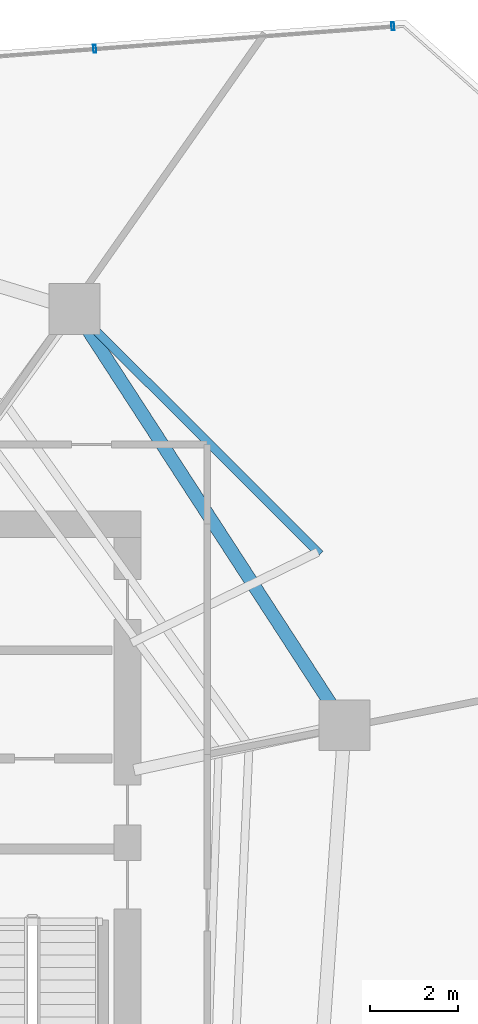
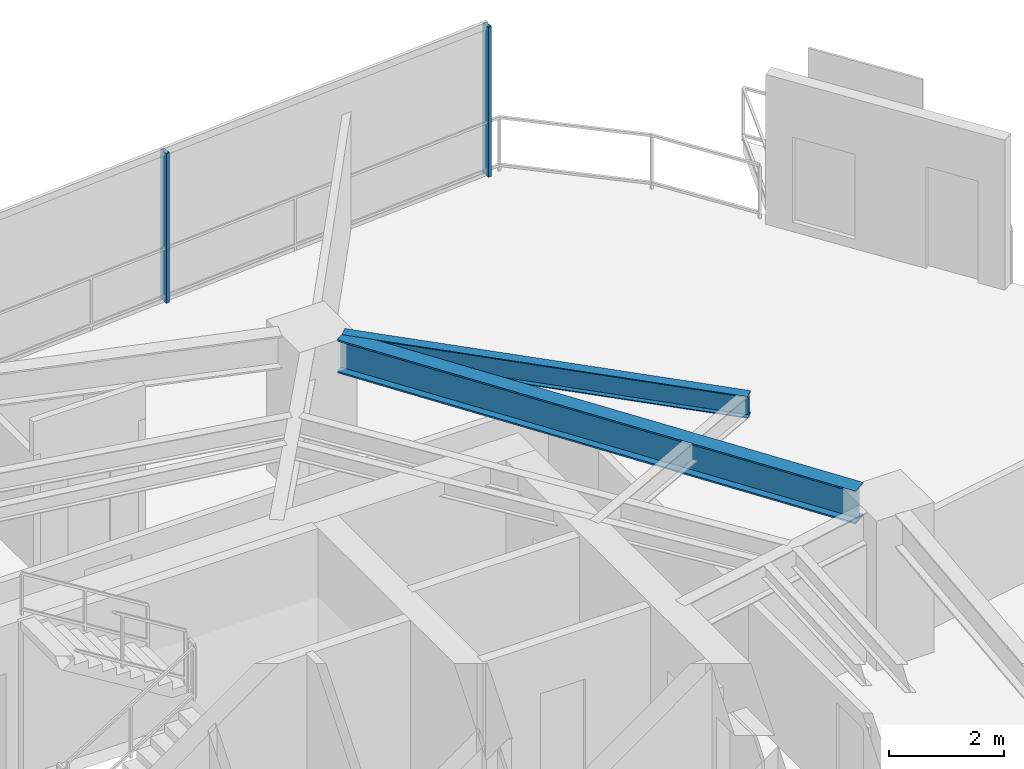
# One storey, part 22 of 30: 2 beams, 2 members, 1 element without a shape of its own.
"""IFC4 building model written with IfcOpenShell, lengths in metres."""

import ifcopenshell
import ifcopenshell.guid

model = None  # the IFC model being written
_history = None  # IfcOwnerHistory: only IFC2X3 demands one
_inside = {}  # id of a spatial element -> (the spatial element, [elements in it])
_under = {}  # id of a project, library or spatial element -> (it, [spatial elements below it])
_declared = {}  # id of a project -> (the project, [libraries it declares])
_typed = {}  # id of a type object -> (the type object, [elements of that type])
_made_of = {}  # id of a material, layer set ... -> (it, [elements and type objects made of it])


def new_model(schema):
    """Start an empty IFC model of exactly this schema.

    Asked for "IFC4X3", IfcOpenShell would pick the latest addendum, in which some entities
    have other attributes; the version numbers below select the first issue.
    IFC2X3 requires an IfcOwnerHistory on every rooted entity: one is made here for all.
    """
    global model, _history
    if schema == "IFC4X3":
        model = ifcopenshell.file(schema_version=(4, 3, 0, 0))
    else:
        model = ifcopenshell.file(schema=schema)
    _inside.clear()
    _under.clear()
    _declared.clear()
    _typed.clear()
    _made_of.clear()
    _history = None
    if model.schema == "IFC2X3":
        org = make("IfcOrganization", Name="unknown")
        user = make(
            "IfcPersonAndOrganization",
            ThePerson=make("IfcPerson", FamilyName="unknown"),
            TheOrganization=org,
        )
        app = make(
            "IfcApplication",
            ApplicationDeveloper=org,
            Version="unknown",
            ApplicationFullName="unknown",
            ApplicationIdentifier="unknown",
        )
        _history = make(
            "IfcOwnerHistory",
            OwningUser=user,
            OwningApplication=app,
            ChangeAction="ADDED",
            CreationDate=0,
        )
    return model


def make(cls, **values):
    """One entity of the class cls with the attributes given. An attribute that is None is left unset."""
    return model.create_entity(
        cls, **{name: value for name, value in values.items() if value is not None}
    )


def rooted(cls, **values):
    """An entity with a GlobalId (a new one), such as an element, a storey or a relation."""
    return make(cls, GlobalId=ifcopenshell.guid.new(), OwnerHistory=_history, **values)


def si_unit(unit_type, name, prefix=None):
    """IfcSIUnit, for example si_unit("LENGTHUNIT", "METRE", prefix="MILLI")."""
    return make("IfcSIUnit", UnitType=unit_type, Prefix=prefix, Name=name)


def assignment(units):
    """IfcUnitAssignment: the units of a project."""
    return None if units is None else make("IfcUnitAssignment", Units=units)


def point(xyz):
    """IfcCartesianPoint."""
    return None if xyz is None else make("IfcCartesianPoint", Coordinates=xyz)


def direction(xyz):
    """IfcDirection."""
    return None if xyz is None else make("IfcDirection", DirectionRatios=xyz)


def frame(location, z_axis=None, x_axis=None):
    """IfcAxis2Placement3D, a coordinate frame: its origin and axes. An axis left out is left unset."""
    return make(
        "IfcAxis2Placement3D",
        Location=point(location),
        Axis=direction(z_axis),
        RefDirection=direction(x_axis),
    )


def frame_2d(location, x_axis=None):
    """IfcAxis2Placement2D, a coordinate frame in the plane: its origin and x axis."""
    return make(
        "IfcAxis2Placement2D", Location=point(location), RefDirection=direction(x_axis)
    )


def origin():
    """The frame at (0, 0, 0) with its axes left unset."""
    return frame((0.0, 0.0, 0.0))


def origin_2d():
    """The frame at (0, 0) in the plane with its x axis left unset."""
    return frame_2d((0.0, 0.0))


def place(relative_to, where):
    """IfcLocalPlacement: puts the frame where relative to a parent placement (None: the world)."""
    return make(
        "IfcLocalPlacement", PlacementRelTo=relative_to, RelativePlacement=where
    )


def context(
    kind, dimensions, precision=None, world=None, true_north=None, identifier=None
):
    """IfcGeometricRepresentationContext, for example the 3D "Model" context."""
    return make(
        "IfcGeometricRepresentationContext",
        ContextIdentifier=identifier,
        ContextType=kind,
        CoordinateSpaceDimension=dimensions,
        Precision=precision,
        WorldCoordinateSystem=world,
        TrueNorth=true_north,
    )


def subcontext(parent, identifier, kind, view, scale=None):
    """IfcGeometricRepresentationSubContext, for example "Body" below "Model"."""
    return make(
        "IfcGeometricRepresentationSubContext",
        ContextIdentifier=identifier,
        ContextType=kind,
        ParentContext=parent,
        TargetScale=scale,
        TargetView=view,
    )


def project(units=None, contexts=None):
    """IfcProject with its units and contexts."""
    return rooted(
        "IfcProject",
        Name="project",
        RepresentationContexts=contexts,
        UnitsInContext=assignment(units),
    )


def spatial(cls, under=None, at=None, **own):
    """A site, building, storey or space (cls), placed at a placement, below another one or the project."""
    s = rooted(cls, ObjectPlacement=at, **own)
    if under is not None:
        _under.setdefault(under.id(), (under, []))[1].append(s)
    return s


def profile(cls, at=None, kind="AREA", **sizes):
    """A parametric profile (cls). Its sizes go by their IFC names, for example OverallWidth=200.0."""
    return make(cls, ProfileType=kind, Position=at, **sizes)


def hollow_rectangle(**sizes):
    """IfcRectangleHollowProfileDef."""
    return profile("IfcRectangleHollowProfileDef", **sizes)


def i_section(**sizes):
    """IfcIShapeProfileDef."""
    return profile("IfcIShapeProfileDef", **sizes)


def extrude(swept, where, along, depth):
    """IfcExtrudedAreaSolid: the profile swept, set in the frame where, extruded along a direction by depth."""
    return make(
        "IfcExtrudedAreaSolid",
        SweptArea=swept,
        Position=where,
        ExtrudedDirection=direction(along),
        Depth=depth,
    )


def shape(context_of_items, identifier, shape_type, items):
    """IfcShapeRepresentation: the items that make up one representation, for example the "Body"."""
    return make(
        "IfcShapeRepresentation",
        ContextOfItems=context_of_items,
        RepresentationIdentifier=identifier,
        RepresentationType=shape_type,
        Items=items,
    )


def material(Name=None, Category=None):
    """IfcMaterial."""
    return make("IfcMaterial", Name=Name, Category=Category)


def layer(
    of_material, thickness, ventilated=None, Name=None, Category=None, Priority=None
):
    """IfcMaterialLayer: one layer of a wall or slab, of a material (None: an air gap)."""
    return make(
        "IfcMaterialLayer",
        Material=of_material,
        LayerThickness=thickness,
        IsVentilated=ventilated,
        Name=Name,
        Category=Category,
        Priority=Priority,
    )


def layer_set(layers, Name=None):
    """IfcMaterialLayerSet."""
    return make("IfcMaterialLayerSet", MaterialLayers=layers, LayerSetName=Name)


def material_profile(
    of_material, cross_section, Name=None, Category=None, Priority=None
):
    """IfcMaterialProfile: a cross section and its material."""
    return make(
        "IfcMaterialProfile",
        Name=Name,
        Material=of_material,
        Profile=cross_section,
        Priority=Priority,
        Category=Category,
    )


def profile_set(profiles, Name=None, composite=None):
    """IfcMaterialProfileSet."""
    return make(
        "IfcMaterialProfileSet",
        Name=Name,
        MaterialProfiles=profiles,
        CompositeProfile=composite,
    )


def made_of(thing, what):
    """Note that an element or type object is made of a material, layer set ...; save() writes the relation."""
    if what is not None:
        _made_of.setdefault(what.id(), (what, []))[1].append(thing)
    return thing


def type_object(cls, material=None, **own):
    """A type object (cls), such as IfcWallType, which elements share."""
    return made_of(rooted(cls, **own), material)


def element(
    cls,
    number,
    at=None,
    inside=None,
    cuts=None,
    type_object=None,
    material=None,
    context=None,
    identifier="Body",
    shape_type=None,
    held_by="IfcProductDefinitionShape",
    body=None,
    shapes=None,
    **own,
):
    """One element of the class cls, such as IfcWall. Its Tag is "e" and its number.

    at: its placement. inside: the storey or other place that contains it. cuts: it is an
    opening in that element (IfcRelVoidsElement). A single representation is given by context,
    identifier, shape_type and body (its items); several are given by shapes. held_by: the class
    of the entity that holds the representations. save() writes the other relations.
    """
    e = rooted(cls, Tag="e%d" % number, ObjectPlacement=at, **own)
    if body is not None:
        shapes = [shape(context, identifier, shape_type, body)]
    if shapes is not None:
        e.Representation = make(held_by, Representations=shapes)
    if inside is not None:
        _inside.setdefault(inside.id(), (inside, []))[1].append(e)
    if cuts is not None:
        rooted(
            "IfcRelVoidsElement", RelatingBuildingElement=cuts, RelatedOpeningElement=e
        )
    if type_object is not None:
        _typed.setdefault(type_object.id(), (type_object, []))[1].append(e)
    return made_of(e, material)


def aggregate(whole, parts):
    """IfcRelAggregates: a whole, such as a stair, and the parts it consists of."""
    return rooted("IfcRelAggregates", RelatingObject=whole, RelatedObjects=parts)


def save(model, path):
    """Write the relations noted so far, then the file.

    IfcRelAggregates (storeys below a building ...), IfcRelContainedInSpatialStructure (elements
    in a storey), IfcRelDefinesByType, IfcRelAssociatesMaterial and IfcRelDeclares: one each for
    every whole, place, type object, material and project.
    """
    for whole, parts in _under.values():
        aggregate(whole, parts)
    for where, things in _inside.values():
        rooted(
            "IfcRelContainedInSpatialStructure",
            RelatedElements=things,
            RelatingStructure=where,
        )
    for kind, things in _typed.values():
        rooted("IfcRelDefinesByType", RelatedObjects=things, RelatingType=kind)
    for what, things in _made_of.values():
        rooted("IfcRelAssociatesMaterial", RelatedObjects=things, RelatingMaterial=what)
    for by, libraries in _declared.values():
        rooted("IfcRelDeclares", RelatingContext=by, RelatedDefinitions=libraries)
    model.write(path)


model = new_model("IFC4")

# Units and contexts
model_context = context("Model", 3, precision=1e-05, world=origin(), true_north=direction((0.0, 1.0)))
body_context = subcontext(model_context, "Body", "Model", "MODEL_VIEW")
ifc_project = project(units=[si_unit("LENGTHUNIT", "METRE"), si_unit("AREAUNIT", "SQUARE_METRE"), si_unit("VOLUMEUNIT", "CUBIC_METRE"), si_unit("PLANEANGLEUNIT", "RADIAN"), si_unit("MASSUNIT", "GRAM", prefix="KILO")], contexts=[model_context])

# Site, building, storey
site_placement = place(None, origin())
site = spatial("IfcSite", under=ifc_project, at=site_placement, CompositionType="ELEMENT")
building_placement = place(site_placement, origin())
building = spatial("IfcBuilding", under=site, at=building_placement, Name="Qarnah Convention Tower", CompositionType="ELEMENT")
storey_placement = place(building_placement, frame((0.0, 0.0, 83.25)))
storey = spatial("IfcBuildingStorey", under=building, at=storey_placement, Name="L21", CompositionType="ELEMENT", Elevation=83.25)

# Beams
ifc_material_1 = material(Name="Structural steel S355JR", Category="steel")
ifc_material_profile_1 = material_profile(ifc_material_1, i_section(OverallWidth=0.19189453125, OverallDepth=0.464111328125, WebThickness=0.010986328125, FlangeThickness=0.01806640625, at=origin_2d()), Name="W460X89")
ifc_profile_set_1 = profile_set([ifc_material_profile_1], Name="Structural steel S355JR")
beam_type_1 = type_object("IfcBeamType", Name="BM-CANT-W460A", PredefinedType="BEAM", material=ifc_profile_set_1)
beam_1_placement = place(storey_placement, frame((51.952880859375, 33.52099609375, 2.93798828125), z_axis=(-0.707978220507, 0.706234266577, 0.0), x_axis=(-0.706234266577, -0.707978220507, 0.0)))
element("IfcBeam", 1, at=beam_1_placement, inside=storey, type_object=beam_type_1, Name="L21 spandrel BM-L21-CTIE-01", PredefinedType="SPANDREL", context=body_context, shape_type="SweptSolid", body=[
    extrude(i_section(OverallWidth=0.19189453125, OverallDepth=0.464111328125, WebThickness=0.010986328125, FlangeThickness=0.01806640625, at=origin_2d()), origin(), (0.0, 0.0, 1.0), 7.279541015625),
])
ifc_material_profile_2 = material_profile(ifc_material_1, i_section(OverallWidth=0.300048828125, OverallDepth=0.699951171875, WebThickness=0.01708984375, FlangeThickness=0.031982421875, at=origin_2d()), Name="HEB700")
ifc_profile_set_2 = profile_set([ifc_material_profile_2], Name="Structural steel S355JR")
beam_type_2 = type_object("IfcBeamType", Name="BM-RING-HEB700", PredefinedType="BEAM", material=ifc_profile_set_2)
beam_2_placement = place(storey_placement, frame((52.199951171875, 30.1279296875, 2.820068359375), z_axis=(-0.544610528714, 0.838689079465, 0.0), x_axis=(-0.838689079465, -0.544610528714, 0.0)))
element("IfcBeam", 2, at=beam_2_placement, inside=storey, type_object=beam_type_2, Name="L21 beam BM-L21-SPN-01", PredefinedType="BEAM", context=body_context, shape_type="SweptSolid", body=[
    extrude(i_section(OverallWidth=0.300048828125, OverallDepth=0.699951171875, WebThickness=0.01708984375, FlangeThickness=0.031982421875, at=origin_2d()), origin(), (0.0, 0.0, 1.0), 10.0859375),
])

# Curtain wall, members
ifc_material_2 = material(Name="Tempered Low-E dark glass", Category="glass")
ifc_layer = layer(ifc_material_2, 0.169921875)
ifc_layer_set = layer_set([ifc_layer], Name="Tempered Low-E dark glass")
curtain_wall_type = type_object("IfcCurtainWallType", Name="CWS-02", PredefinedType="NOTDEFINED", material=ifc_layer_set)
curtain_wall_placement = place(storey_placement, origin())
curtain_wall = element("IfcCurtainWall", 3, at=curtain_wall_placement, inside=storey, type_object=curtain_wall_type, Name="L21 unitised curtain wall CW-L21-F2", PredefinedType="NOTDEFINED")
ifc_material_3 = material(Name="Black anodised aluminium", Category="aluminium")
ifc_material_profile_3 = material_profile(ifc_material_3, hollow_rectangle(XDim=0.06494140625, YDim=0.179931640625, WallThickness=0.00390625, at=origin_2d()), Name="MUL-65X180")
ifc_profile_set_3 = profile_set([ifc_material_profile_3], Name="Black anodised aluminium")
member_type = type_object("IfcMemberType", Name="MUL-T2", PredefinedType="MULLION", material=ifc_profile_set_3)
member_1_placement = place(storey_placement, frame((46.85888671875, 44.943115234375, 0.0), z_axis=(0.0, 0.0, 1.0), x_axis=(0.997158879225, 0.075327083987, 0.0)))
member_1 = element("IfcMember", 4, at=member_1_placement, type_object=member_type, Name="CW-L21-F2 mullion 5", PredefinedType="MULLION", context=body_context, shape_type="SweptSolid", body=[
    extrude(hollow_rectangle(XDim=0.06494140625, YDim=0.179931640625, WallThickness=0.00390625, at=origin_2d()), origin(), (0.0, 0.0, 1.0), 3.169921875),
])
member_2_placement = place(storey_placement, frame((53.596923828125, 45.451904296875, 0.0), z_axis=(0.0, 0.0, 1.0), x_axis=(0.997158879225, 0.075327083987, 0.0)))
member_2 = element("IfcMember", 5, at=member_2_placement, type_object=member_type, Name="CW-L21-F2 mullion 6", PredefinedType="MULLION", context=body_context, shape_type="SweptSolid", body=[
    extrude(hollow_rectangle(XDim=0.06494140625, YDim=0.179931640625, WallThickness=0.00390625, at=origin_2d()), origin(), (0.0, 0.0, 1.0), 3.169921875),
])
aggregate(curtain_wall, [member_1, member_2])

save(model, "model.ifc")
